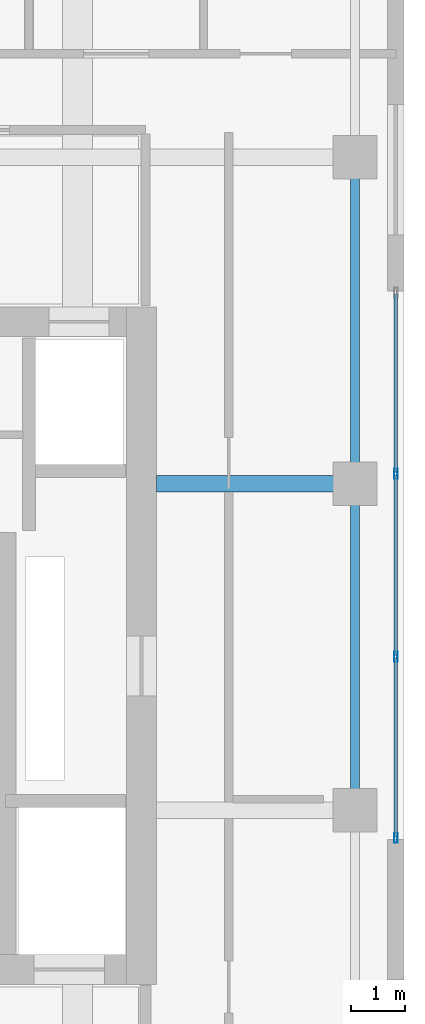
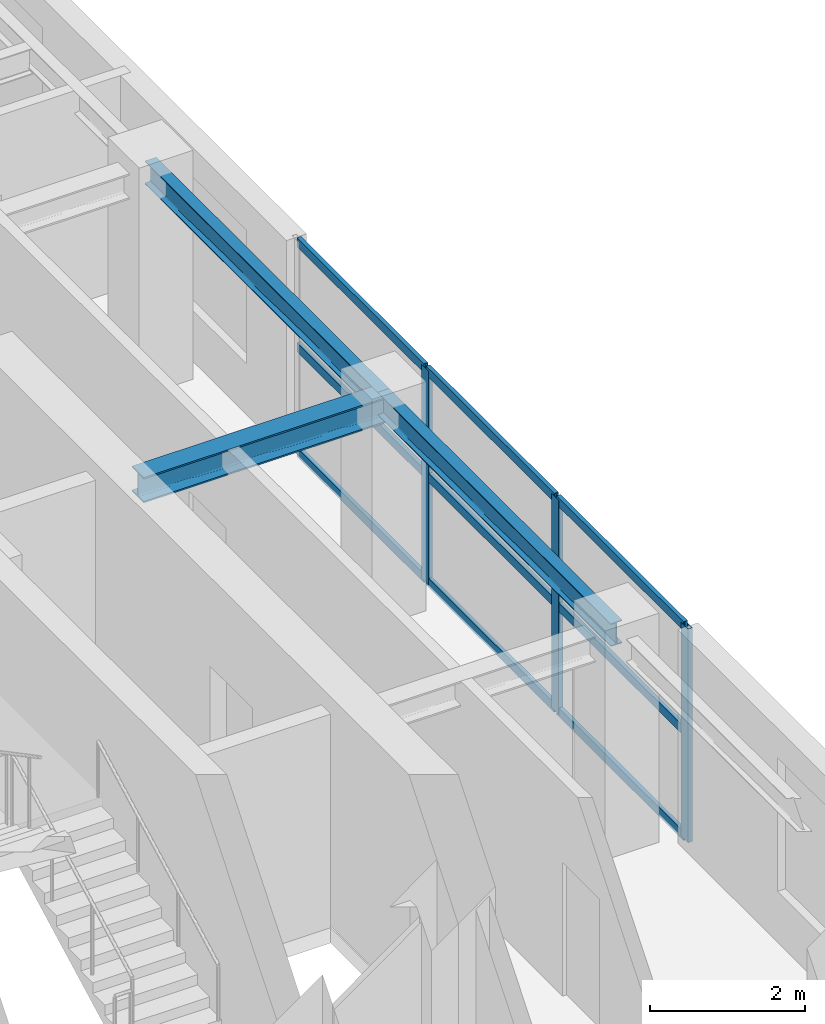
# One storey, part 12 of 23: 12 members, 3 beams, 1 element without a shape of its own.
"""IFC4 building model written with IfcOpenShell, lengths in metres."""

from ifc_helpers import new_model, si_unit, direction, frame, origin, origin_2d, place, context, subcontext, project, spatial, hollow_rectangle, i_section, extrude, source, transform, mapped, material, layer, layer_set, material_profile, profile_set, type_object, element, aggregate, save


model = new_model("IFC4")

# Units and contexts
model_context = context("Model", 3, precision=1e-05, world=origin(), true_north=direction((0.0, 1.0)))
body_context = subcontext(model_context, "Body", "Model", "MODEL_VIEW")
ifc_project = project(units=[si_unit("LENGTHUNIT", "METRE"), si_unit("AREAUNIT", "SQUARE_METRE"), si_unit("VOLUMEUNIT", "CUBIC_METRE"), si_unit("PLANEANGLEUNIT", "RADIAN"), si_unit("MASSUNIT", "GRAM", prefix="KILO")], contexts=[model_context])

# Site, building, storey
site_placement = place(None, origin())
site = spatial("IfcSite", under=ifc_project, at=site_placement, CompositionType="ELEMENT")
building_placement = place(site_placement, origin())
building = spatial("IfcBuilding", under=site, at=building_placement, Name="Khoralis Quay Care Tower", CompositionType="ELEMENT")
storey_placement = place(building_placement, frame((0.0, 0.0, 252.89990234375)))
storey = spatial("IfcBuildingStorey", under=building, at=storey_placement, Name="L66", CompositionType="ELEMENT", Elevation=252.89990234375)

# Beams
ifc_material_1 = material(Name="Steel S355", Category="steel")
ifc_material_profile_1 = material_profile(ifc_material_1, i_section(OverallWidth=0.169921875, OverallDepth=0.360107421875, WebThickness=0.008056640625, FlangeThickness=0.0126953125, FilletRadius=0.01806640625, at=origin_2d()), Name="Steel S355")
ifc_profile_set_1 = profile_set([ifc_material_profile_1], Name="Steel S355")
beam_type_1 = type_object("IfcBeamType", Name="BM-IPE360", PredefinedType="SPANDREL", material=ifc_profile_set_1)
shared_shape_1 = source(origin(), body_context, "Body", "SweptSolid", [
    extrude(i_section(OverallWidth=0.169921875, OverallDepth=0.360107421875, WebThickness=0.008056640625, FlangeThickness=0.0126953125, FilletRadius=0.01806640625, at=origin_2d()), origin(), (0.0, 0.0, 1.0), 6.0),
])
for number, where, z_axis, x_axis, name in (
    (1, (41.10009765625, 18.0, 3.18017578125), (0.0, 1.0, 0.0), (-1.0, 0.0, 0.0), "BM-TSP-L66-10"),
    (2, (41.10009765625, 24.0, 3.18017578125), (0.0, 1.0, 0.0), (-1.0, 0.0, 0.0), "BM-TSP-L66-11"),
):
    element("IfcBeam", number, at=place(storey_placement, frame(where, z_axis=z_axis, x_axis=x_axis)), inside=storey, type_object=beam_type_1, Name=name, PredefinedType="SPANDREL", context=body_context, shape_type="MappedRepresentation", body=[
        mapped(shared_shape_1, transform((0.0, 0.0, 0.0), scale=1.0)),
    ])
ifc_material_profile_2 = material_profile(ifc_material_1, i_section(OverallWidth=0.300048828125, OverallDepth=0.39990234375, WebThickness=0.013427734375, FlangeThickness=0.02392578125, FilletRadius=0.027099609375, at=origin_2d()), Name="Steel S355")
ifc_profile_set_2 = profile_set([ifc_material_profile_2], Name="Steel S355")
beam_type_2 = type_object("IfcBeamType", Name="BM-HEB400", PredefinedType="BEAM", material=ifc_profile_set_2)
shared_shape_2 = source(origin(), body_context, "Body", "SweptSolid", [
    extrude(i_section(OverallWidth=0.300048828125, OverallDepth=0.39990234375, WebThickness=0.013427734375, FlangeThickness=0.02392578125, FilletRadius=0.027099609375, at=origin_2d()), origin(), (0.0, 0.0, 1.0), 3.652099609375),
])
beam_placement = place(storey_placement, frame((37.447998046875, 24.0, 3.16015625), z_axis=(1.0, 0.0, 0.0), x_axis=(0.0, 1.0, 0.0)))
element("IfcBeam", 3, at=beam_placement, inside=storey, type_object=beam_type_2, Name="BM-TGXE-L66-240", PredefinedType="BEAM", context=body_context, shape_type="MappedRepresentation", body=[
    mapped(shared_shape_2, transform((0.0, 0.0, 0.0), scale=1.0)),
])

# Curtain wall, members
ifc_material_2 = material(Name="Pale anodised aluminium", Category="aluminium")
ifc_layer = layer(ifc_material_2, 0.159912109375)
ifc_layer_set = layer_set([ifc_layer], Name="Pale anodised aluminium")
curtain_wall_type = type_object("IfcCurtainWallType", Name="CW-SYS-Z3", PredefinedType="NOTDEFINED", material=ifc_layer_set)
curtain_wall_placement = place(storey_placement, origin())
curtain_wall = element("IfcCurtainWall", 4, at=curtain_wall_placement, inside=storey, type_object=curtain_wall_type, Name="L66 Unitised Curtain Wall CW-L66-P2-E5", PredefinedType="NOTDEFINED")
ifc_material_profile_3 = material_profile(ifc_material_2, hollow_rectangle(XDim=0.06494140625, YDim=0.179931640625, WallThickness=0.00390625, at=origin_2d()), Name="Pale anodised aluminium")
ifc_profile_set_3 = profile_set([ifc_material_profile_3], Name="Pale anodised aluminium")
member_type_1 = type_object("IfcMemberType", Name="CW-MUL-180", PredefinedType="MULLION", material=ifc_profile_set_3)
shared_shape_3 = source(origin(), body_context, "Body", "SweptSolid", [
    extrude(hollow_rectangle(XDim=0.06494140625, YDim=0.179931640625, WallThickness=0.00390625, at=origin_2d()), origin(), (0.0, 0.0, 1.0), 3.360107421875),
])
member_1_placement = place(storey_placement, frame((41.85009765625, 17.489990234375, 0.0), z_axis=(0.0, 0.0, 1.0), x_axis=(-1.0, 0.0, 0.0)))
member_1 = element("IfcMember", 5, at=member_1_placement, type_object=member_type_1, Name="CW3 mullion 1", PredefinedType="MULLION", context=body_context, shape_type="MappedRepresentation", body=[
    mapped(shared_shape_3, transform((0.0, 0.0, 0.0), scale=1.0)),
])
member_2_placement = place(storey_placement, frame((41.85009765625, 20.820068359375, 0.0), z_axis=(0.0, 0.0, 1.0), x_axis=(-1.0, 0.0, 0.0)))
member_2 = element("IfcMember", 6, at=member_2_placement, type_object=member_type_1, Name="CW3 mullion 2", PredefinedType="MULLION", context=body_context, shape_type="MappedRepresentation", body=[
    mapped(shared_shape_3, transform((0.0, 0.0, 0.0), scale=1.0)),
])
member_3_placement = place(storey_placement, frame((41.85009765625, 24.179931640625, 0.0), z_axis=(0.0, 0.0, 1.0), x_axis=(-1.0, 0.0, 0.0)))
member_3 = element("IfcMember", 7, at=member_3_placement, type_object=member_type_1, Name="CW3 mullion 3", PredefinedType="MULLION", context=body_context, shape_type="MappedRepresentation", body=[
    mapped(shared_shape_3, transform((0.0, 0.0, 0.0), scale=1.0)),
])
ifc_material_profile_4 = material_profile(ifc_material_2, hollow_rectangle(XDim=0.06005859375, YDim=0.139892578125, WallThickness=0.00390625, at=origin_2d()), Name="Pale anodised aluminium")
ifc_profile_set_4 = profile_set([ifc_material_profile_4], Name="Pale anodised aluminium")
member_type_2 = type_object("IfcMemberType", Name="CW-TRN-140", PredefinedType="USERDEFINED", material=ifc_profile_set_4)
shared_shape_4 = source(origin(), body_context, "Body", "SweptSolid", [
    extrude(hollow_rectangle(XDim=0.06005859375, YDim=0.139892578125, WallThickness=0.00390625, at=origin_2d()), origin(), (0.0, 0.0, 1.0), 3.27001953125),
])
member_4_placement = place(storey_placement, frame((41.85009765625, 17.52001953125, 0.030029296875), z_axis=(0.0, 1.0, 0.0), x_axis=(-1.0, 0.0, 0.0)))
member_4 = element("IfcMember", 8, at=member_4_placement, type_object=member_type_2, Name="CW3 transom 1.1", ObjectType="TRANSOM", PredefinedType="USERDEFINED", context=body_context, shape_type="MappedRepresentation", body=[
    mapped(shared_shape_4, transform((0.0, 0.0, 0.0), scale=1.0)),
])
member_5_placement = place(storey_placement, frame((41.85009765625, 17.52001953125, 1.68017578125), z_axis=(0.0, 1.0, 0.0), x_axis=(-1.0, 0.0, 0.0)))
member_5 = element("IfcMember", 9, at=member_5_placement, type_object=member_type_2, Name="CW3 transom 1.2", ObjectType="TRANSOM", PredefinedType="USERDEFINED", context=body_context, shape_type="MappedRepresentation", body=[
    mapped(shared_shape_4, transform((0.0, 0.0, 0.0), scale=1.0)),
])
member_6_placement = place(storey_placement, frame((41.85009765625, 17.52001953125, 3.330078125), z_axis=(0.0, 1.0, 0.0), x_axis=(-1.0, 0.0, 0.0)))
member_6 = element("IfcMember", 10, at=member_6_placement, type_object=member_type_2, Name="CW3 transom 1.3", ObjectType="TRANSOM", PredefinedType="USERDEFINED", context=body_context, shape_type="MappedRepresentation", body=[
    mapped(shared_shape_4, transform((0.0, 0.0, 0.0), scale=1.0)),
])
member_7_placement = place(storey_placement, frame((41.85009765625, 24.2099609375, 0.030029296875), z_axis=(0.0, 1.0, 0.0), x_axis=(-1.0, 0.0, 0.0)))
member_7 = element("IfcMember", 11, at=member_7_placement, type_object=member_type_2, Name="CW3 transom 3.1", ObjectType="TRANSOM", PredefinedType="USERDEFINED", context=body_context, shape_type="MappedRepresentation", body=[
    mapped(shared_shape_4, transform((0.0, 0.0, 0.0), scale=1.0)),
])
member_8_placement = place(storey_placement, frame((41.85009765625, 24.2099609375, 1.68017578125), z_axis=(0.0, 1.0, 0.0), x_axis=(-1.0, 0.0, 0.0)))
member_8 = element("IfcMember", 12, at=member_8_placement, type_object=member_type_2, Name="CW3 transom 3.2", ObjectType="TRANSOM", PredefinedType="USERDEFINED", context=body_context, shape_type="MappedRepresentation", body=[
    mapped(shared_shape_4, transform((0.0, 0.0, 0.0), scale=1.0)),
])
member_9_placement = place(storey_placement, frame((41.85009765625, 24.2099609375, 3.330078125), z_axis=(0.0, 1.0, 0.0), x_axis=(-1.0, 0.0, 0.0)))
member_9 = element("IfcMember", 13, at=member_9_placement, type_object=member_type_2, Name="CW3 transom 3.3", ObjectType="TRANSOM", PredefinedType="USERDEFINED", context=body_context, shape_type="MappedRepresentation", body=[
    mapped(shared_shape_4, transform((0.0, 0.0, 0.0), scale=1.0)),
])
shared_shape_5 = source(origin(), body_context, "Body", "SweptSolid", [
    extrude(hollow_rectangle(XDim=0.06005859375, YDim=0.139892578125, WallThickness=0.00390625, at=origin_2d()), origin(), (0.0, 0.0, 1.0), 3.2998046875),
])
member_10_placement = place(storey_placement, frame((41.85009765625, 20.85009765625, 0.030029296875), z_axis=(0.0, 1.0, 0.0), x_axis=(-1.0, 0.0, 0.0)))
member_10 = element("IfcMember", 14, at=member_10_placement, type_object=member_type_2, Name="CW3 transom 2.1", ObjectType="TRANSOM", PredefinedType="USERDEFINED", context=body_context, shape_type="MappedRepresentation", body=[
    mapped(shared_shape_5, transform((0.0, 0.0, 0.0), scale=1.0)),
])
member_11_placement = place(storey_placement, frame((41.85009765625, 20.85009765625, 1.68017578125), z_axis=(0.0, 1.0, 0.0), x_axis=(-1.0, 0.0, 0.0)))
member_11 = element("IfcMember", 15, at=member_11_placement, type_object=member_type_2, Name="CW3 transom 2.2", ObjectType="TRANSOM", PredefinedType="USERDEFINED", context=body_context, shape_type="MappedRepresentation", body=[
    mapped(shared_shape_5, transform((0.0, 0.0, 0.0), scale=1.0)),
])
member_12_placement = place(storey_placement, frame((41.85009765625, 20.85009765625, 3.330078125), z_axis=(0.0, 1.0, 0.0), x_axis=(-1.0, 0.0, 0.0)))
member_12 = element("IfcMember", 16, at=member_12_placement, type_object=member_type_2, Name="CW3 transom 2.3", ObjectType="TRANSOM", PredefinedType="USERDEFINED", context=body_context, shape_type="MappedRepresentation", body=[
    mapped(shared_shape_5, transform((0.0, 0.0, 0.0), scale=1.0)),
])
aggregate(curtain_wall, [member_1, member_2, member_3, member_4, member_5, member_6, member_10, member_11, member_12, member_7, member_8, member_9])

save(model, "model.ifc")
